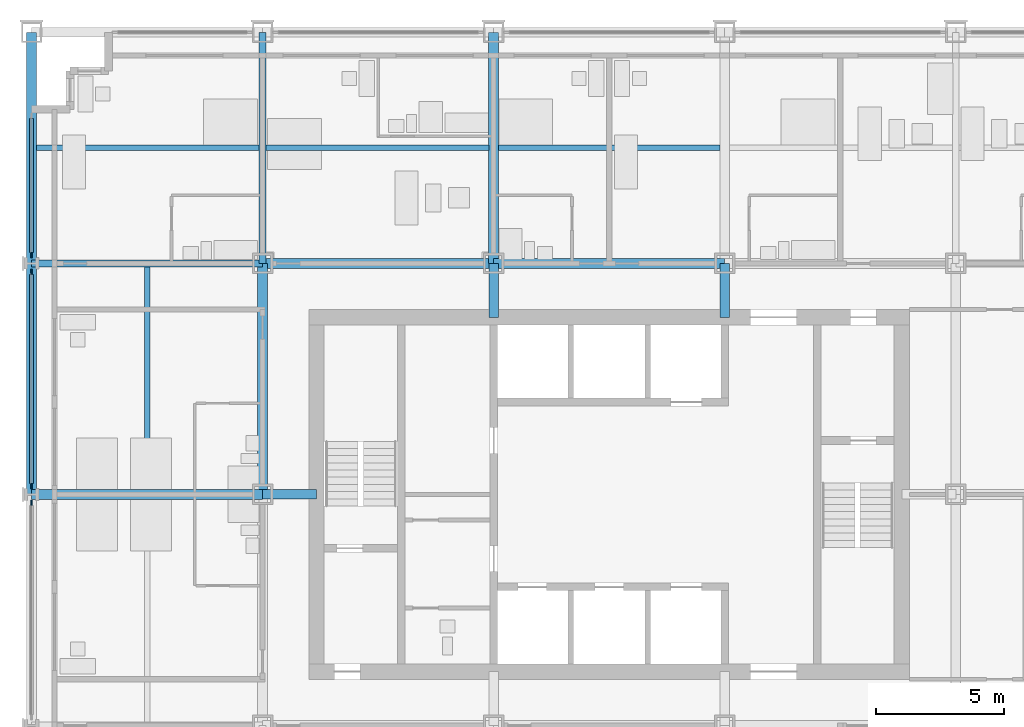
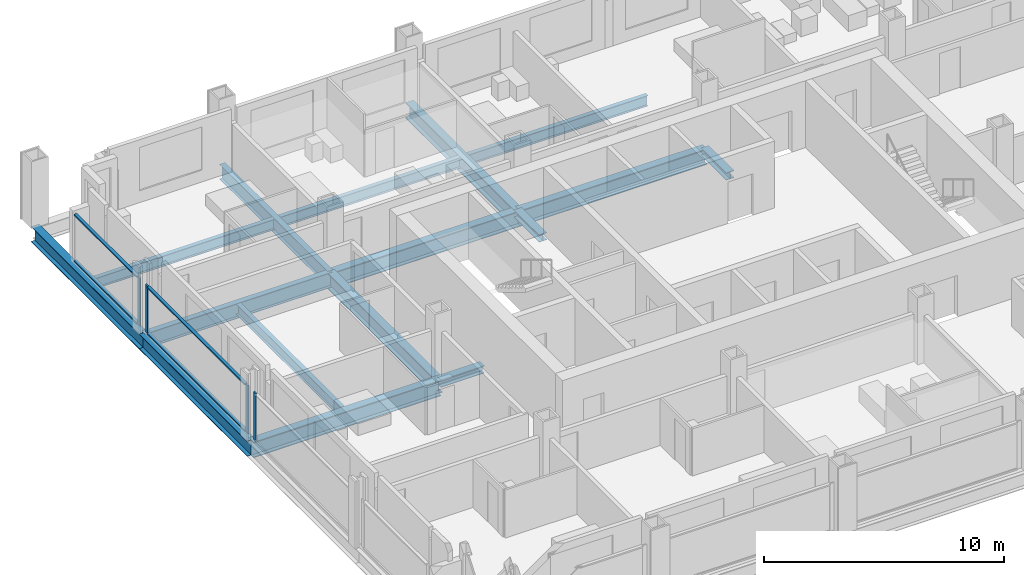
# One storey, part 4 of 18: 13 beams, 11 members, 3 elements without a shape of their own.
"""IFC4 building model written with IfcOpenShell, lengths in metres."""

import ifcopenshell
import ifcopenshell.guid

model = None  # the IFC model being written
_history = None  # IfcOwnerHistory: only IFC2X3 demands one
_inside = {}  # id of a spatial element -> (the spatial element, [elements in it])
_under = {}  # id of a project, library or spatial element -> (it, [spatial elements below it])
_declared = {}  # id of a project -> (the project, [libraries it declares])
_typed = {}  # id of a type object -> (the type object, [elements of that type])
_made_of = {}  # id of a material, layer set ... -> (it, [elements and type objects made of it])


def new_model(schema):
    """Start an empty IFC model of exactly this schema.

    Asked for "IFC4X3", IfcOpenShell would pick the latest addendum, in which some entities
    have other attributes; the version numbers below select the first issue.
    IFC2X3 requires an IfcOwnerHistory on every rooted entity: one is made here for all.
    """
    global model, _history
    if schema == "IFC4X3":
        model = ifcopenshell.file(schema_version=(4, 3, 0, 0))
    else:
        model = ifcopenshell.file(schema=schema)
    _inside.clear()
    _under.clear()
    _declared.clear()
    _typed.clear()
    _made_of.clear()
    _history = None
    if model.schema == "IFC2X3":
        org = make("IfcOrganization", Name="unknown")
        user = make(
            "IfcPersonAndOrganization",
            ThePerson=make("IfcPerson", FamilyName="unknown"),
            TheOrganization=org,
        )
        app = make(
            "IfcApplication",
            ApplicationDeveloper=org,
            Version="unknown",
            ApplicationFullName="unknown",
            ApplicationIdentifier="unknown",
        )
        _history = make(
            "IfcOwnerHistory",
            OwningUser=user,
            OwningApplication=app,
            ChangeAction="ADDED",
            CreationDate=0,
        )
    return model


def make(cls, **values):
    """One entity of the class cls with the attributes given. An attribute that is None is left unset."""
    return model.create_entity(
        cls, **{name: value for name, value in values.items() if value is not None}
    )


def rooted(cls, **values):
    """An entity with a GlobalId (a new one), such as an element, a storey or a relation."""
    return make(cls, GlobalId=ifcopenshell.guid.new(), OwnerHistory=_history, **values)


def si_unit(unit_type, name, prefix=None):
    """IfcSIUnit, for example si_unit("LENGTHUNIT", "METRE", prefix="MILLI")."""
    return make("IfcSIUnit", UnitType=unit_type, Prefix=prefix, Name=name)


def assignment(units):
    """IfcUnitAssignment: the units of a project."""
    return None if units is None else make("IfcUnitAssignment", Units=units)


def point(xyz):
    """IfcCartesianPoint."""
    return None if xyz is None else make("IfcCartesianPoint", Coordinates=xyz)


def direction(xyz):
    """IfcDirection."""
    return None if xyz is None else make("IfcDirection", DirectionRatios=xyz)


def frame(location, z_axis=None, x_axis=None):
    """IfcAxis2Placement3D, a coordinate frame: its origin and axes. An axis left out is left unset."""
    return make(
        "IfcAxis2Placement3D",
        Location=point(location),
        Axis=direction(z_axis),
        RefDirection=direction(x_axis),
    )


def frame_2d(location, x_axis=None):
    """IfcAxis2Placement2D, a coordinate frame in the plane: its origin and x axis."""
    return make(
        "IfcAxis2Placement2D", Location=point(location), RefDirection=direction(x_axis)
    )


def origin():
    """The frame at (0, 0, 0) with its axes left unset."""
    return frame((0.0, 0.0, 0.0))


def origin_2d():
    """The frame at (0, 0) in the plane with its x axis left unset."""
    return frame_2d((0.0, 0.0))


def place(relative_to, where):
    """IfcLocalPlacement: puts the frame where relative to a parent placement (None: the world)."""
    return make(
        "IfcLocalPlacement", PlacementRelTo=relative_to, RelativePlacement=where
    )


def context(
    kind, dimensions, precision=None, world=None, true_north=None, identifier=None
):
    """IfcGeometricRepresentationContext, for example the 3D "Model" context."""
    return make(
        "IfcGeometricRepresentationContext",
        ContextIdentifier=identifier,
        ContextType=kind,
        CoordinateSpaceDimension=dimensions,
        Precision=precision,
        WorldCoordinateSystem=world,
        TrueNorth=true_north,
    )


def subcontext(parent, identifier, kind, view, scale=None):
    """IfcGeometricRepresentationSubContext, for example "Body" below "Model"."""
    return make(
        "IfcGeometricRepresentationSubContext",
        ContextIdentifier=identifier,
        ContextType=kind,
        ParentContext=parent,
        TargetScale=scale,
        TargetView=view,
    )


def project(units=None, contexts=None):
    """IfcProject with its units and contexts."""
    return rooted(
        "IfcProject",
        Name="project",
        RepresentationContexts=contexts,
        UnitsInContext=assignment(units),
    )


def spatial(cls, under=None, at=None, **own):
    """A site, building, storey or space (cls), placed at a placement, below another one or the project."""
    s = rooted(cls, ObjectPlacement=at, **own)
    if under is not None:
        _under.setdefault(under.id(), (under, []))[1].append(s)
    return s


def profile(cls, at=None, kind="AREA", **sizes):
    """A parametric profile (cls). Its sizes go by their IFC names, for example OverallWidth=200.0."""
    return make(cls, ProfileType=kind, Position=at, **sizes)


def rectangle(**sizes):
    """IfcRectangleProfileDef."""
    return profile("IfcRectangleProfileDef", **sizes)


def i_section(**sizes):
    """IfcIShapeProfileDef."""
    return profile("IfcIShapeProfileDef", **sizes)


def extrude(swept, where, along, depth):
    """IfcExtrudedAreaSolid: the profile swept, set in the frame where, extruded along a direction by depth."""
    return make(
        "IfcExtrudedAreaSolid",
        SweptArea=swept,
        Position=where,
        ExtrudedDirection=direction(along),
        Depth=depth,
    )


def shape(context_of_items, identifier, shape_type, items):
    """IfcShapeRepresentation: the items that make up one representation, for example the "Body"."""
    return make(
        "IfcShapeRepresentation",
        ContextOfItems=context_of_items,
        RepresentationIdentifier=identifier,
        RepresentationType=shape_type,
        Items=items,
    )


def material(Name=None, Category=None):
    """IfcMaterial."""
    return make("IfcMaterial", Name=Name, Category=Category)


def material_profile(
    of_material, cross_section, Name=None, Category=None, Priority=None
):
    """IfcMaterialProfile: a cross section and its material."""
    return make(
        "IfcMaterialProfile",
        Name=Name,
        Material=of_material,
        Profile=cross_section,
        Priority=Priority,
        Category=Category,
    )


def profile_set(profiles, Name=None, composite=None):
    """IfcMaterialProfileSet."""
    return make(
        "IfcMaterialProfileSet",
        Name=Name,
        MaterialProfiles=profiles,
        CompositeProfile=composite,
    )


def made_of(thing, what):
    """Note that an element or type object is made of a material, layer set ...; save() writes the relation."""
    if what is not None:
        _made_of.setdefault(what.id(), (what, []))[1].append(thing)
    return thing


def type_object(cls, material=None, **own):
    """A type object (cls), such as IfcWallType, which elements share."""
    return made_of(rooted(cls, **own), material)


def element(
    cls,
    number,
    at=None,
    inside=None,
    cuts=None,
    type_object=None,
    material=None,
    context=None,
    identifier="Body",
    shape_type=None,
    held_by="IfcProductDefinitionShape",
    body=None,
    shapes=None,
    **own,
):
    """One element of the class cls, such as IfcWall. Its Tag is "e" and its number.

    at: its placement. inside: the storey or other place that contains it. cuts: it is an
    opening in that element (IfcRelVoidsElement). A single representation is given by context,
    identifier, shape_type and body (its items); several are given by shapes. held_by: the class
    of the entity that holds the representations. save() writes the other relations.
    """
    e = rooted(cls, Tag="e%d" % number, ObjectPlacement=at, **own)
    if body is not None:
        shapes = [shape(context, identifier, shape_type, body)]
    if shapes is not None:
        e.Representation = make(held_by, Representations=shapes)
    if inside is not None:
        _inside.setdefault(inside.id(), (inside, []))[1].append(e)
    if cuts is not None:
        rooted(
            "IfcRelVoidsElement", RelatingBuildingElement=cuts, RelatedOpeningElement=e
        )
    if type_object is not None:
        _typed.setdefault(type_object.id(), (type_object, []))[1].append(e)
    return made_of(e, material)


def aggregate(whole, parts):
    """IfcRelAggregates: a whole, such as a stair, and the parts it consists of."""
    return rooted("IfcRelAggregates", RelatingObject=whole, RelatedObjects=parts)


def save(model, path):
    """Write the relations noted so far, then the file.

    IfcRelAggregates (storeys below a building ...), IfcRelContainedInSpatialStructure (elements
    in a storey), IfcRelDefinesByType, IfcRelAssociatesMaterial and IfcRelDeclares: one each for
    every whole, place, type object, material and project.
    """
    for whole, parts in _under.values():
        aggregate(whole, parts)
    for where, things in _inside.values():
        rooted(
            "IfcRelContainedInSpatialStructure",
            RelatedElements=things,
            RelatingStructure=where,
        )
    for kind, things in _typed.values():
        rooted("IfcRelDefinesByType", RelatedObjects=things, RelatingType=kind)
    for what, things in _made_of.values():
        rooted("IfcRelAssociatesMaterial", RelatedObjects=things, RelatingMaterial=what)
    for by, libraries in _declared.values():
        rooted("IfcRelDeclares", RelatingContext=by, RelatedDefinitions=libraries)
    model.write(path)


model = new_model("IFC4")

# Units and contexts
model_context = context("Model", 3, precision=1e-05, world=origin(), true_north=direction((0.0, 1.0)))
body_context = subcontext(model_context, "Body", "Model", "MODEL_VIEW")
ifc_project = project(units=[si_unit("LENGTHUNIT", "METRE"), si_unit("AREAUNIT", "SQUARE_METRE"), si_unit("VOLUMEUNIT", "CUBIC_METRE"), si_unit("PLANEANGLEUNIT", "RADIAN"), si_unit("MASSUNIT", "GRAM", prefix="KILO")], contexts=[model_context])

# Site, building, storey
site_placement = place(None, origin())
site = spatial("IfcSite", under=ifc_project, at=site_placement, CompositionType="ELEMENT")
building_placement = place(site_placement, origin())
building = spatial("IfcBuilding", under=site, at=building_placement, Name="Loomwork Tower", CompositionType="ELEMENT")
storey_placement = place(building_placement, frame((0.0, 0.0, 75.60009765625)))
storey = spatial("IfcBuildingStorey", under=building, at=storey_placement, Name="L19", CompositionType="ELEMENT", Elevation=75.60009765625)

# Beams
ifc_material_1 = material(Name="Steel ASTM A992", Category="steel")
ifc_material_profile_1 = material_profile(ifc_material_1, i_section(OverallWidth=0.383544921875, OverallDepth=0.794921875, WebThickness=0.02099609375, FlangeThickness=0.0380859375, at=origin_2d()), Name="W30x235")
ifc_profile_set_1 = profile_set([ifc_material_profile_1], Name="Steel ASTM A992")
beam_type_1 = type_object("IfcBeamType", Name="CORE FLANK GIRDER W30x235", PredefinedType="BEAM", material=ifc_profile_set_1)
for number, where, z_axis, x_axis, name in (
    (1, (0.0, 18.0, -0.59765625), (1.0, 0.0, 0.0), (0.0, 1.0, 0.0), "Core Flank Girder F/2-F/3 L19"),
    (2, (9.0, 27.0, -0.59765625), (1.0, 0.0, 0.0), (0.0, 1.0, 0.0), "Core Flank Girder G/3-G/4 L19"),
    (3, (18.0, 27.0, -0.59765625), (1.0, 0.0, 0.0), (0.0, 1.0, 0.0), "Core Flank Girder G/4-G/5 L19"),
    (4, (9.0, 18.0, -0.59765625), (0.0, 1.0, 0.0), (-1.0, 0.0, 0.0), "Core Flank Girder F/3-G/3 L19"),
    (5, (18.0, 27.0, -0.59765625), (0.0, 1.0, 0.0), (-1.0, 0.0, 0.0), "Core Flank Girder G/4-H/4 L19"),
):
    element("IfcBeam", number, at=place(storey_placement, frame(where, z_axis=z_axis, x_axis=x_axis)), inside=storey, type_object=beam_type_1, Name=name, PredefinedType="BEAM", context=body_context, shape_type="SweptSolid", body=[
        extrude(i_section(OverallWidth=0.383544921875, OverallDepth=0.794921875, WebThickness=0.02099609375, FlangeThickness=0.0380859375, at=origin_2d()), origin(), (0.0, 0.0, 1.0), 9.0),
    ])

# Members
ifc_material_2 = material(Name="Steel ASTM A992", Category="steel")
ifc_material_profile_2 = material_profile(ifc_material_2, i_section(OverallWidth=0.373291015625, OverallDepth=0.373291015625, WebThickness=0.016357421875, FlangeThickness=0.026123046875, at=origin_2d()), Name="W14x132")
ifc_profile_set_2 = profile_set([ifc_material_profile_2], Name="Steel ASTM A992")
member_type_1 = type_object("IfcMemberType", Name="CORE LINK STRUT W14x132", PredefinedType="STRUT", material=ifc_profile_set_2)
for number, where, z_axis, x_axis, name in (
    (6, (27.0, 27.0, -0.38671875), (0.0, -1.0, 0.0), (1.0, 0.0, 0.0), "Core link strut G/5-27.000,24.900 L19"),
    (7, (18.0, 27.0, -0.38671875), (0.0, -1.0, 0.0), (1.0, 0.0, 0.0), "Core link strut G/4-18.000,24.900 L19"),
    (8, (9.0, 18.0, -0.38671875), (1.0, 0.0, 0.0), (0.0, 1.0, 0.0), "Core link strut F/3-11.100,18.000 L19"),
):
    element("IfcMember", number, at=place(storey_placement, frame(where, z_axis=z_axis, x_axis=x_axis)), inside=storey, type_object=member_type_1, Name=name, PredefinedType="STRUT", context=body_context, shape_type="SweptSolid", body=[
        extrude(i_section(OverallWidth=0.373291015625, OverallDepth=0.373291015625, WebThickness=0.016357421875, FlangeThickness=0.026123046875, at=origin_2d()), origin(), (0.0, 0.0, 1.0), 2.10009765625),
    ])

# Beams
ifc_material_3 = material(Name="Steel ASTM A992", Category="steel")
ifc_material_profile_3 = material_profile(ifc_material_3, i_section(OverallWidth=0.2666015625, OverallDepth=0.761962890625, WebThickness=0.014404296875, FlangeThickness=0.021484375, at=origin_2d()), Name="W30x116")
ifc_profile_set_3 = profile_set([ifc_material_profile_3], Name="Steel ASTM A992")
beam_type_2 = type_object("IfcBeamType", Name="FLOOR GIRDER W30x116", PredefinedType="BEAM", material=ifc_profile_set_3)
for number, where, z_axis, x_axis, name in (
    (9, (0.0, 27.0, -0.5810546875), (1.0, 0.0, 0.0), (0.0, 1.0, 0.0), "Floor Girder G/2-G/3 L19"),
    (10, (9.0, 27.0, -0.5810546875), (0.0, 1.0, 0.0), (-1.0, 0.0, 0.0), "Floor Girder G/3-H/3 L19"),
):
    element("IfcBeam", number, at=place(storey_placement, frame(where, z_axis=z_axis, x_axis=x_axis)), inside=storey, type_object=beam_type_2, Name=name, PredefinedType="BEAM", context=body_context, shape_type="SweptSolid", body=[
        extrude(i_section(OverallWidth=0.2666015625, OverallDepth=0.761962890625, WebThickness=0.014404296875, FlangeThickness=0.021484375, at=origin_2d()), origin(), (0.0, 0.0, 1.0), 9.0),
    ])
ifc_material_4 = material(Name="Steel ASTM A992", Category="steel")
ifc_material_profile_4 = material_profile(ifc_material_4, i_section(OverallWidth=0.2109375, OverallDepth=0.53857421875, WebThickness=0.011474609375, FlangeThickness=0.018798828125, at=origin_2d()), Name="W21x73")
ifc_profile_set_4 = profile_set([ifc_material_profile_4], Name="Steel ASTM A992")
beam_type_3 = type_object("IfcBeamType", Name="FLOOR JOIST W21x73", PredefinedType="JOIST", material=ifc_profile_set_4)
beam_1_placement = place(storey_placement, frame((4.5, 18.19091796875, -0.46923828125), z_axis=(0.0, 1.0, 0.0), x_axis=(-1.0, 0.0, 0.0)))
element("IfcBeam", 11, at=beam_1_placement, inside=storey, type_object=beam_type_3, Name="Floor Joist 4.500,18.000-4.500,27.000 L19", PredefinedType="JOIST", context=body_context, shape_type="SweptSolid", body=[
    extrude(i_section(OverallWidth=0.2109375, OverallDepth=0.53857421875, WebThickness=0.011474609375, FlangeThickness=0.018798828125, at=origin_2d()), origin(), (0.0, 0.0, 1.0), 8.676025390625),
])
beam_2_placement = place(storey_placement, frame((0.18994140625, 31.5, -0.46923828125), z_axis=(1.0, 0.0, 0.0), x_axis=(0.0, 1.0, 0.0)))
element("IfcBeam", 12, at=beam_2_placement, inside=storey, type_object=beam_type_3, Name="Floor Joist 0.000,31.500-9.000,31.500 L19", PredefinedType="JOIST", context=body_context, shape_type="SweptSolid", body=[
    extrude(i_section(OverallWidth=0.2109375, OverallDepth=0.53857421875, WebThickness=0.011474609375, FlangeThickness=0.018798828125, at=origin_2d()), origin(), (0.0, 0.0, 1.0), 8.677001953125),
])
beam_3_placement = place(storey_placement, frame((9.133056640625, 31.5, -0.46923828125), z_axis=(1.0, 0.0, 0.0), x_axis=(0.0, 1.0, 0.0)))
element("IfcBeam", 13, at=beam_3_placement, inside=storey, type_object=beam_type_3, Name="Floor Joist 9.000,31.500-18.000,31.500 L19", PredefinedType="JOIST", context=body_context, shape_type="SweptSolid", body=[
    extrude(i_section(OverallWidth=0.2109375, OverallDepth=0.53857421875, WebThickness=0.011474609375, FlangeThickness=0.018798828125, at=origin_2d()), origin(), (0.0, 0.0, 1.0), 8.676025390625),
])
beam_4_placement = place(storey_placement, frame((18.19091796875, 31.5, -0.46923828125), z_axis=(1.0, 0.0, 0.0), x_axis=(0.0, 1.0, 0.0)))
element("IfcBeam", 14, at=beam_4_placement, inside=storey, type_object=beam_type_3, Name="Floor Joist 18.000,31.500-27.000,31.500 L19", PredefinedType="JOIST", context=body_context, shape_type="SweptSolid", body=[
    extrude(i_section(OverallWidth=0.2109375, OverallDepth=0.53857421875, WebThickness=0.011474609375, FlangeThickness=0.018798828125, at=origin_2d()), origin(), (0.0, 0.0, 1.0), 8.6181640625),
])

# Curtain wall, member
ifc_material_5 = material(Name="Aluminium curtain wall frame", Category="aluminium")
curtain_wall_type = type_object("IfcCurtainWallType", Name="Outer skin glazing hotel", PredefinedType="NOTDEFINED", material=ifc_material_5)
curtain_wall_1_placement = place(storey_placement, origin())
curtain_wall_1 = element("IfcCurtainWall", 15, at=curtain_wall_1_placement, inside=storey, type_object=curtain_wall_type, Name="Outer skin glazing hotel cw/W-9", PredefinedType="NOTDEFINED")
ifc_material_6 = material(Name="Aluminium curtain wall frame", Category="aluminium")
ifc_material_profile_5 = material_profile(ifc_material_6, rectangle(XDim=0.06494140625, YDim=0.199951171875, at=origin_2d()), Name="AL 65x200")
ifc_profile_set_5 = profile_set([ifc_material_profile_5], Name="Aluminium curtain wall frame")
member_type_2 = type_object("IfcMemberType", Name="Outer skin glazing hotel mullion", PredefinedType="MULLION", material=ifc_profile_set_5)
member_1_placement = place(storey_placement, frame((0.0, 17.672607421875, 0.0), z_axis=(0.0, 0.0, 1.0), x_axis=(1.0, 0.0, 0.0)))
member_1 = element("IfcMember", 16, at=member_1_placement, type_object=member_type_2, Name="CW1 mullion 1", PredefinedType="MULLION", context=body_context, shape_type="SweptSolid", body=[
    extrude(rectangle(XDim=0.06494140625, YDim=0.199951171875, at=origin_2d()), origin(), (0.0, 0.0, 1.0), 2.420166015625),
])
aggregate(curtain_wall_1, [member_1])

# Curtain wall, members
curtain_wall_2_placement = place(storey_placement, origin())
curtain_wall_2 = element("IfcCurtainWall", 17, at=curtain_wall_2_placement, inside=storey, type_object=curtain_wall_type, Name="Outer skin glazing hotel cw/W-18", PredefinedType="NOTDEFINED")
member_2_placement = place(storey_placement, frame((0.0, 26.672607421875, 0.0), z_axis=(0.0, 0.0, 1.0), x_axis=(1.0, 0.0, 0.0)))
member_2 = element("IfcMember", 18, at=member_2_placement, type_object=member_type_2, Name="CW1 mullion 1", PredefinedType="MULLION", context=body_context, shape_type="SweptSolid", body=[
    extrude(rectangle(XDim=0.06494140625, YDim=0.199951171875, at=origin_2d()), origin(), (0.0, 0.0, 1.0), 2.420166015625),
])
member_3_placement = place(storey_placement, frame((0.0, 18.327392578125, 0.0), z_axis=(0.0, 0.0, 1.0), x_axis=(1.0, 0.0, 0.0)))
member_3 = element("IfcMember", 19, at=member_3_placement, type_object=member_type_2, Name="CW1 mullion 2", PredefinedType="MULLION", context=body_context, shape_type="SweptSolid", body=[
    extrude(rectangle(XDim=0.06494140625, YDim=0.199951171875, at=origin_2d()), origin(), (0.0, 0.0, 1.0), 2.420166015625),
])

# Curtain wall, member
curtain_wall_3_placement = place(storey_placement, origin())
curtain_wall_3 = element("IfcCurtainWall", 20, at=curtain_wall_3_placement, inside=storey, type_object=curtain_wall_type, Name="Outer skin glazing hotel cw/W-27", PredefinedType="NOTDEFINED")
member_4_placement = place(storey_placement, frame((0.0, 27.327392578125, 0.0), z_axis=(0.0, 0.0, 1.0), x_axis=(1.0, 0.0, 0.0)))
member_4 = element("IfcMember", 21, at=member_4_placement, type_object=member_type_2, Name="CW1 mullion 2", PredefinedType="MULLION", context=body_context, shape_type="SweptSolid", body=[
    extrude(rectangle(XDim=0.06494140625, YDim=0.199951171875, at=origin_2d()), origin(), (0.0, 0.0, 1.0), 2.420166015625),
])

# Member
ifc_material_7 = material(Name="Aluminium curtain wall frame", Category="aluminium")
ifc_material_profile_6 = material_profile(ifc_material_7, rectangle(XDim=0.14990234375, YDim=0.06494140625, at=origin_2d()), Name="AL 65x150")
ifc_profile_set_6 = profile_set([ifc_material_profile_6], Name="Aluminium curtain wall frame")
member_type_3 = type_object("IfcMemberType", Name="Outer skin glazing hotel transom", PredefinedType="USERDEFINED", material=ifc_profile_set_6)
member_5_placement = place(storey_placement, frame((0.0, 26.57275390625, 0.032470703125), z_axis=(0.0, -1.0, 0.0), x_axis=(1.0, 0.0, 0.0)))
member_5 = element("IfcMember", 22, at=member_5_placement, type_object=member_type_3, Name="CW1 transom 1.1", ObjectType="TRANSOM", PredefinedType="USERDEFINED", context=body_context, shape_type="SweptSolid", body=[
    extrude(rectangle(XDim=0.14990234375, YDim=0.06494140625, at=origin_2d()), origin(), (0.0, 0.0, 1.0), 8.1455078125),
])

member_6_placement = place(storey_placement, frame((0.0, 26.57275390625, 2.3876953125), z_axis=(0.0, -1.0, 0.0), x_axis=(1.0, 0.0, 0.0)))
member_6 = element("IfcMember", 23, at=member_6_placement, type_object=member_type_3, Name="CW1 transom 1.2", ObjectType="TRANSOM", PredefinedType="USERDEFINED", context=body_context, shape_type="SweptSolid", body=[
    extrude(rectangle(XDim=0.14990234375, YDim=0.06494140625, at=origin_2d()), origin(), (0.0, 0.0, 1.0), 8.1455078125),
])

aggregate(curtain_wall_2, [member_2, member_3, member_5, member_6])

member_7_placement = place(storey_placement, frame((0.0, 32.64990234375, 0.032470703125), z_axis=(0.0, -1.0, 0.0), x_axis=(1.0, 0.0, 0.0)))
member_7 = element("IfcMember", 24, at=member_7_placement, type_object=member_type_3, Name="CW1 transom 1.1", ObjectType="TRANSOM", PredefinedType="USERDEFINED", context=body_context, shape_type="SweptSolid", body=[
    extrude(rectangle(XDim=0.14990234375, YDim=0.06494140625, at=origin_2d()), origin(), (0.0, 0.0, 1.0), 5.22265625),
])

member_8_placement = place(storey_placement, frame((0.0, 32.64990234375, 2.3876953125), z_axis=(0.0, -1.0, 0.0), x_axis=(1.0, 0.0, 0.0)))
member_8 = element("IfcMember", 25, at=member_8_placement, type_object=member_type_3, Name="CW1 transom 1.2", ObjectType="TRANSOM", PredefinedType="USERDEFINED", context=body_context, shape_type="SweptSolid", body=[
    extrude(rectangle(XDim=0.14990234375, YDim=0.06494140625, at=origin_2d()), origin(), (0.0, 0.0, 1.0), 5.22265625),
])

aggregate(curtain_wall_3, [member_4, member_7, member_8])

# Beams
ifc_material_8 = material(Name="Steel ASTM A992", Category="steel")
ifc_material_profile_7 = material_profile(ifc_material_8, i_section(OverallWidth=0.381103515625, OverallDepth=0.77978515625, WebThickness=0.01806640625, FlangeThickness=0.0302734375, at=origin_2d()), Name="W30x191")
ifc_profile_set_7 = profile_set([ifc_material_profile_7], Name="Steel ASTM A992")
beam_type_4 = type_object("IfcBeamType", Name="SPANDREL GIRDER W30x191", PredefinedType="SPANDREL", material=ifc_profile_set_7)
for number, where, z_axis, x_axis, name in (
    (26, (0.0, 18.0, -0.590087890625), (0.0, 1.0, 0.0), (-1.0, 0.0, 0.0), "Spandrel Girder F/2-G/2 L19"),
    (27, (0.0, 27.0, -0.590087890625), (0.0, 1.0, 0.0), (-1.0, 0.0, 0.0), "Spandrel Girder G/2-H/2 L19"),
):
    element("IfcBeam", number, at=place(storey_placement, frame(where, z_axis=z_axis, x_axis=x_axis)), inside=storey, type_object=beam_type_4, Name=name, PredefinedType="SPANDREL", context=body_context, shape_type="SweptSolid", body=[
        extrude(i_section(OverallWidth=0.381103515625, OverallDepth=0.77978515625, WebThickness=0.01806640625, FlangeThickness=0.0302734375, at=origin_2d()), origin(), (0.0, 0.0, 1.0), 9.0),
    ])

save(model, "model.ifc")
